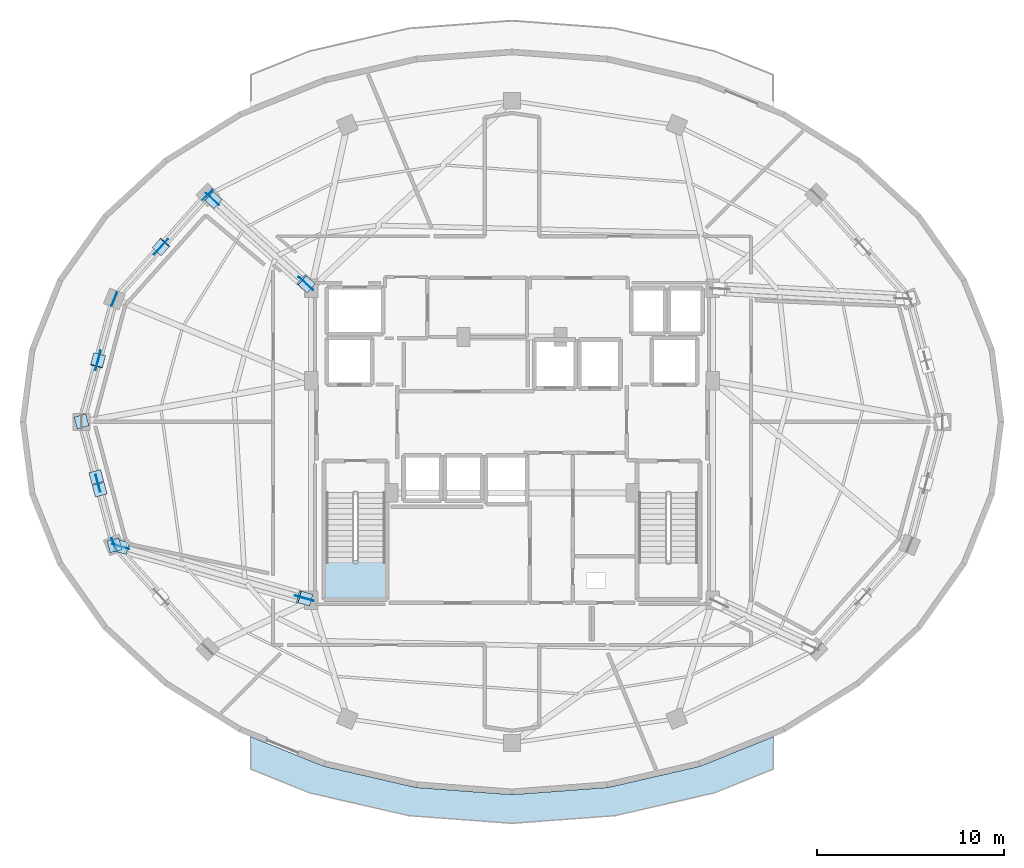
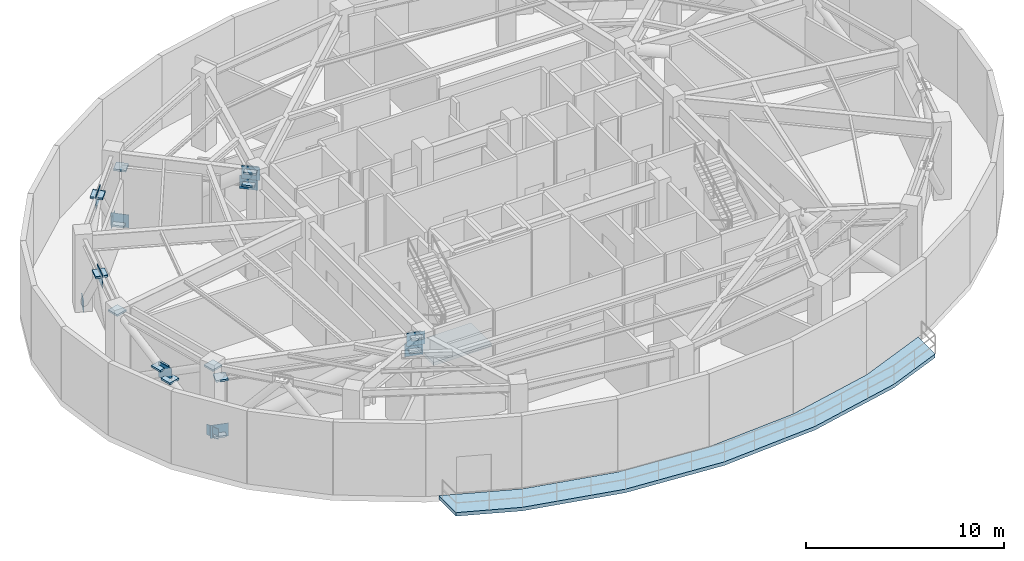
# One storey, part 3 of 10: 28 plates, 2 slabs, 1 element without a shape of its own.
"""IFC4 building model written with IfcOpenShell, lengths in metres."""

from ifc_helpers import new_model, si_unit, direction, frame, origin, origin_2d, place, context, subcontext, project, spatial, polyline, rectangle, outline, extrude, material, layer, layer_set, type_object, element, aggregate, save


model = new_model("IFC4")

# Units and contexts
model_context = context("Model", 3, precision=1e-05, world=origin(), true_north=direction((0.0, 1.0)))
body_context = subcontext(model_context, "Body", "Model", "MODEL_VIEW")
ifc_project = project(units=[si_unit("LENGTHUNIT", "METRE"), si_unit("AREAUNIT", "SQUARE_METRE"), si_unit("VOLUMEUNIT", "CUBIC_METRE"), si_unit("PLANEANGLEUNIT", "RADIAN"), si_unit("MASSUNIT", "GRAM", prefix="KILO")], contexts=[model_context])

# Site, building, storey
site_placement = place(None, origin())
site = spatial("IfcSite", under=ifc_project, at=site_placement, CompositionType="ELEMENT")
building_placement = place(site_placement, origin())
building = spatial("IfcBuilding", under=site, at=building_placement, Name="Vorneva Point Tower", CompositionType="ELEMENT")
storey_placement = place(building_placement, frame((0.0, 0.0, 224.949951171875)))
storey = spatial("IfcBuildingStorey", under=building, at=storey_placement, Name="L61", CompositionType="ELEMENT", Elevation=224.949951171875)

# Plates
ifc_material_1 = material(Name="Steel S355", Category="steel")
ifc_layer_1 = layer(ifc_material_1, 0.028076171875)
ifc_layer_set_1 = layer_set([ifc_layer_1], Name="Steel S355")
plate_type_1 = type_object("IfcPlateType", Name="PLT-CAP-INT", PredefinedType="USERDEFINED", material=ifc_layer_set_1)
for number, where, z_axis, x_axis, name in (
    (1, (19.189697265625, 35.357421875, 4.31640625), (0.0, 0.0, 1.0), (-0.667091755948, -0.744975562784, 0.0), "L61 Perimeter Belt-Truss Diagonal 07A end closure plate 2"),
    (2, (19.21630859375, 35.386962890625, 4.31640625), (0.0, 0.0, 1.0), (0.667091755948, 0.744975562784, 0.0), "L61 Perimeter Belt-Truss Diagonal 07B end closure plate 2"),
    (3, (15.822509765625, 29.27294921875, 4.3173828125), (0.0, 0.0, 1.0), (-0.257571294219, -0.966259296666, 0.0), "L61 Perimeter Belt-Truss Diagonal 08A end closure plate 2"),
    (4, (15.83203125, 29.309326171875, 4.3173828125), (0.0, 0.0, 1.0), (0.257571294219, 0.966259296666, 0.0), "L61 Perimeter Belt-Truss Diagonal 08B end closure plate 2"),
    (5, (16.711181640625, 19.393310546875, 4.31005859375), (0.0, 0.0, 1.0), (0.257571294219, -0.966259296666, 0.0), "L61 Perimeter Belt-Truss Continuous X-Brace 09A end closure plate 2"),
    (6, (15.9169921875, 22.372314453125, 1.962890625), (0.0, 0.0, 1.0), (-0.257571294219, 0.966259296666, 0.0), "L61 Perimeter Belt-Truss Split X-Brace 09B1 end closure plate 2"),
    (7, (15.737548828125, 23.04541015625, 2.3955078125), (0.0, 0.0, 1.0), (-0.257571294219, 0.966259296666, 0.0), "L61 Perimeter Belt-Truss Split X-Brace 09B2 end closure plate 1"),
    (8, (14.943359375, 26.024658203125, 4.31005859375), (0.0, 0.0, 1.0), (-0.257571294219, 0.966259296666, 0.0), "L61 Perimeter Belt-Truss Split X-Brace 09B2 end closure plate 2"),
    (9, (27.00927734375, 33.367431640625, 4.31005859375), (0.0, 0.0, 1.0), (-0.742081142188, 0.670310061396, 0.0), "L61 Core Outrigger Diagonal 07A end closure plate 1"),
    (10, (21.94189453125, 37.944580078125, 0.04833984375), (0.0, 0.0, 1.0), (-0.742081142188, 0.670310061396, 0.0), "L61 Core Outrigger Diagonal 07A end closure plate 2"),
    (11, (26.9384765625, 33.431396484375, 3.51416015625), (0.0, 0.0, 1.0), (-0.742081142188, 0.670310061396, 0.0), "L61 Core Outrigger Collector Strut 07B end closure plate 1"),
    (12, (22.0126953125, 37.880615234375, 3.51416015625), (0.0, 0.0, 1.0), (-0.742081142188, 0.670310061396, 0.0), "L61 Core Outrigger Collector Strut 07B end closure plate 2"),
    (13, (26.939697265625, 16.537353515625, 4.30517578125), (0.0, 0.0, 1.0), (-0.962606687284, 0.270902871149, 0.0), "L61 Core Outrigger Diagonal 10A end closure plate 1"),
    (14, (17.014892578125, 19.33056640625, 0.052734375), (0.0, 0.0, 1.0), (-0.962606687284, 0.270902871149, 0.0), "L61 Core Outrigger Diagonal 10A end closure plate 2"),
    (15, (26.845703125, 16.563720703125, 3.51416015625), (0.0, 0.0, 1.0), (-0.962606687284, 0.270902871149, 0.0), "L61 Core Outrigger Collector Strut 10B end closure plate 1"),
    (16, (17.10888671875, 19.303955078125, 3.51416015625), (0.0, 0.0, 1.0), (-0.962606687284, 0.270902871149, 0.0), "L61 Core Outrigger Collector Strut 10B end closure plate 2"),
):
    element("IfcPlate", number, at=place(storey_placement, frame(where, z_axis=z_axis, x_axis=x_axis)), inside=storey, type_object=plate_type_1, Name=name, ObjectType="BASE PLATE", PredefinedType="USERDEFINED", context=body_context, shape_type="SweptSolid", body=[
        extrude(rectangle(XDim=0.64990234375, YDim=0.64990234375, at=origin_2d()), origin(), (0.0, 0.0, 1.0), 0.112060546875),
    ])
ifc_material_2 = material(Name="Steel S460", Category="steel")
ifc_layer_2 = layer(ifc_material_2, 0.031982421875)
ifc_layer_set_2 = layer_set([ifc_layer_2], Name="Steel S460")
plate_type_2 = type_object("IfcPlateType", Name="PLT-GUS-32", PredefinedType="USERDEFINED", material=ifc_layer_set_2)
for number, where, z_axis, x_axis, name in (
    (17, (19.202880859375, 35.372314453125, 3.81005859375), (0.0, 0.0, 1.0), (-0.667091755948, -0.744975562784, 0.0), "L61 Belt-Truss Apex Gusset Plate 07"),
    (18, (15.827392578125, 29.291015625, 3.81005859375), (0.0, 0.0, 1.0), (-0.257571294219, -0.966259296666, 0.0), "L61 Belt-Truss Apex Gusset Plate 08"),
):
    element("IfcPlate", number, at=place(storey_placement, frame(where, z_axis=z_axis, x_axis=x_axis)), inside=storey, type_object=plate_type_2, Name=name, ObjectType="GUSSET PLATE", PredefinedType="USERDEFINED", context=body_context, shape_type="SweptSolid", body=[
        extrude(rectangle(XDim=1.10009765625, YDim=0.031982421875, at=origin_2d()), origin(), (0.0, 0.0, 1.0), 0.800048828125),
    ])
plate_placement = place(storey_placement, frame((15.827392578125, 22.708984375, 1.76025390625), z_axis=(0.0, 0.0, 1.0), x_axis=(0.257571294219, -0.966259296666, 0.0)))
element("IfcPlate", 19, at=plate_placement, inside=storey, type_object=plate_type_2, Name="L61 Belt-Truss X-Brace Central Node Gusset Plate 09", ObjectType="GUSSET PLATE", PredefinedType="USERDEFINED", context=body_context, shape_type="SweptSolid", body=[
    extrude(rectangle(XDim=0.949951171875, YDim=0.031982421875, at=origin_2d()), origin(), (0.0, 0.0, 1.0), 0.949951171875),
])
for number, where, z_axis, x_axis, name in (
    (20, (21.701171875, 38.162109375, -0.054931640625), (0.0, 0.0, 1.0), (-0.707106781187, -0.707106781187, 0.0), "L61 Belt-Truss Column Base Gusset Plate 07"),
    (21, (16.70458984375, 32.582275390625, -0.054931640625), (0.0, 0.0, 1.0), (-0.382683432365, -0.923879532511, 0.0), "L61 Belt-Truss Column Base Gusset Plate 08"),
    (22, (16.70458984375, 19.417724609375, -0.054931640625), (0.0, 0.0, 1.0), (0.382683432365, -0.923879532511, 0.0), "L61 Belt-Truss Column Base Gusset Plate 10"),
):
    element("IfcPlate", number, at=place(storey_placement, frame(where, z_axis=z_axis, x_axis=x_axis)), inside=storey, type_object=plate_type_2, Name=name, ObjectType="GUSSET PLATE", PredefinedType="USERDEFINED", context=body_context, shape_type="SweptSolid", body=[
        extrude(rectangle(XDim=0.75, YDim=0.031982421875, at=origin_2d()), origin(), (0.0, 0.0, 1.0), 0.64990234375),
    ])
for number, where, z_axis, x_axis, name in (
    (23, (26.990234375, 33.384521484375, 3.7900390625), (0.0, 0.0, 1.0), (-0.742081142188, 0.670310061396, 0.0), "L61 Outrigger Core Wall Anchorage Gusset 07"),
    (24, (26.916015625, 33.45166015625, 3.169921875), (0.0, 0.0, 1.0), (-0.742081142188, 0.670310061396, 0.0), "L61 Outrigger Core Collector Link Gusset 07"),
    (25, (21.9609375, 37.927490234375, -0.1201171875), (0.0, 0.0, 1.0), (-0.742081142188, 0.670310061396, 0.0), "L61 Outrigger Perimeter Column Gusset 07"),
    (26, (26.9130859375, 16.544921875, 3.7900390625), (0.0, 0.0, 1.0), (-0.962606687284, 0.270902871149, 0.0), "L61 Outrigger Core Wall Anchorage Gusset 10"),
    (27, (26.81689453125, 16.572021484375, 3.169921875), (0.0, 0.0, 1.0), (-0.962606687284, 0.270902871149, 0.0), "L61 Outrigger Core Collector Link Gusset 10"),
    (28, (17.04150390625, 19.322998046875, -0.1201171875), (0.0, 0.0, 1.0), (-0.962606687284, 0.270902871149, 0.0), "L61 Outrigger Perimeter Column Gusset 10"),
):
    element("IfcPlate", number, at=place(storey_placement, frame(where, z_axis=z_axis, x_axis=x_axis)), inside=storey, type_object=plate_type_2, Name=name, ObjectType="GUSSET PLATE", PredefinedType="USERDEFINED", context=body_context, shape_type="SweptSolid", body=[
        extrude(rectangle(XDim=0.949951171875, YDim=0.031982421875, at=origin_2d()), origin(), (0.0, 0.0, 1.0), 0.800048828125),
    ])

# Slab
ifc_material_3 = material(Name="Concrete B50 (C40/50)", Category="concrete")
ifc_layer_3 = layer(ifc_material_3, 0.219970703125)
ifc_layer_set_3 = layer_set([ifc_layer_3], Name="Concrete B50 (C40/50)")
slab_type_1 = type_object("IfcSlabType", Name="SLB-BAL-220", PredefinedType="FLOOR", material=ifc_layer_set_3)
slab_1_placement = place(storey_placement, frame((0.0, 0.0, -0.219970703125)))
element("IfcSlab", 29, at=slab_1_placement, inside=storey, type_object=slab_type_1, Name="L61 Recessed Sky Garden Terrace SOUTH", PredefinedType="FLOOR", context=body_context, shape_type="SweptSolid", body=[
    extrude(outline(polyline([(52.0, 7.40771484375), (52.0, 9.140625), (48.085205078125, 7.5556640625), (48.0849609375, 7.5556640625), (48.084716796875, 7.555419921875), (43.1416015625, 6.419677734375), (43.14111328125, 6.41943359375), (43.140869140625, 6.41943359375), (38.000244140625, 6.035888671875), (38.0, 6.035888671875), (37.999755859375, 6.035888671875), (32.859130859375, 6.41943359375), (32.85888671875, 6.41943359375), (32.8583984375, 6.419677734375), (27.915283203125, 7.555419921875), (27.9150390625, 7.5556640625), (27.914794921875, 7.5556640625), (24.0, 9.140625), (24.0, 7.40771484375), (27.139404296875, 6.13671875), (32.46337890625, 4.9130859375), (38.0, 4.5), (43.53662109375, 4.9130859375), (48.860595703125, 6.13671875), (52.0, 7.40771484375)])), origin(), (0.0, 0.0, 1.0), 0.219970703125),
])

# Stair, slab
stair_type = type_object("IfcStairType", Name="ST-DOG-1500", PredefinedType="HALF_TURN_STAIR", material=ifc_material_3)
stair_placement = place(storey_placement, origin())
stair = element("IfcStair", 30, at=stair_placement, inside=storey, type_object=stair_type, Name="L61 ST1", PredefinedType="HALF_TURN_STAIR")
ifc_layer_4 = layer(ifc_material_3, 0.199951171875)
ifc_layer_set_4 = layer_set([ifc_layer_4], Name="Concrete B50 (C40/50)")
slab_type_2 = type_object("IfcSlabType", Name="SLB-LND-200", PredefinedType="LANDING", material=ifc_layer_set_4)
slab_2_placement = place(storey_placement, frame((0.0, 0.0, 2.199951171875)))
slab_2 = element("IfcSlab", 31, at=slab_2_placement, type_object=slab_type_2, Name="ST1 landing 1", PredefinedType="LANDING", context=body_context, shape_type="SweptSolid", body=[
    extrude(outline(polyline([(27.929931640625, 16.47998046875), (31.320068359375, 16.47998046875), (31.320068359375, 18.570068359375), (27.929931640625, 18.570068359375), (27.929931640625, 16.47998046875)])), origin(), (0.0, 0.0, 1.0), 0.2001953125),
])
aggregate(stair, [slab_2])

save(model, "model.ifc")
